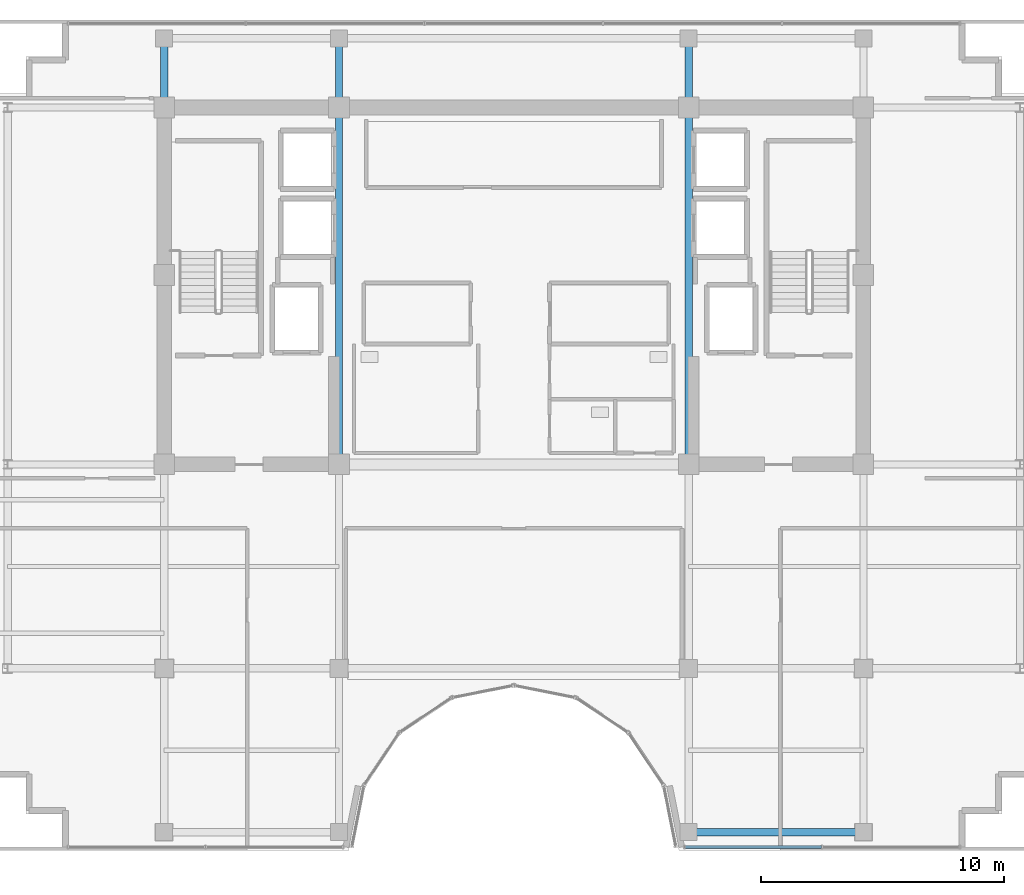
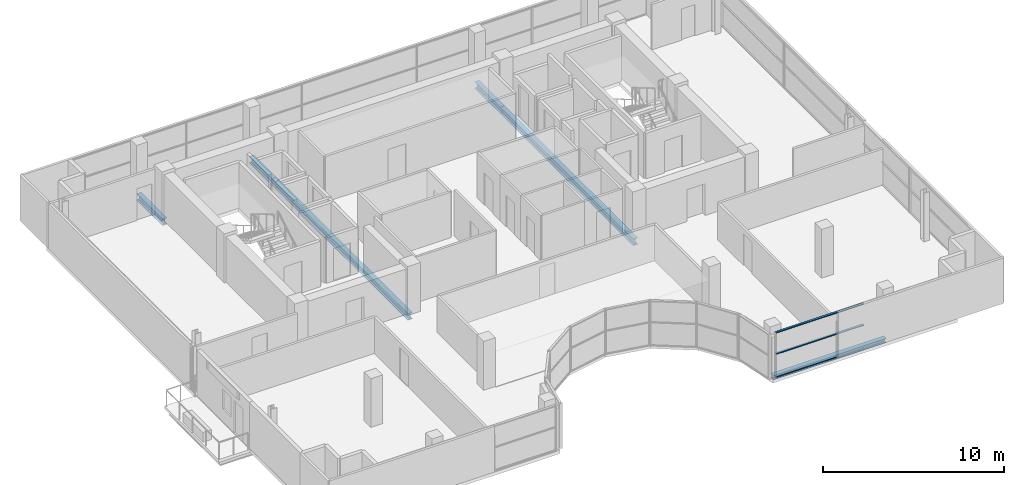
# One storey, part 10 of 28: 6 beams, 3 members, 1 element without a shape of its own.
"""IFC4 building model written with IfcOpenShell, lengths in metres."""

from ifc_helpers import new_model, si_unit, direction, frame, origin, origin_2d, place, context, subcontext, project, spatial, hollow_rectangle, i_section, extrude, source, transform, mapped, material, layer, layer_set, material_profile, profile_set, type_object, element, aggregate, save


model = new_model("IFC4")

# Units and contexts
model_context = context("Model", 3, precision=1e-05, world=origin(), true_north=direction((0.0, 1.0)))
body_context = subcontext(model_context, "Body", "Model", "MODEL_VIEW")
ifc_project = project(units=[si_unit("LENGTHUNIT", "METRE"), si_unit("AREAUNIT", "SQUARE_METRE"), si_unit("VOLUMEUNIT", "CUBIC_METRE"), si_unit("PLANEANGLEUNIT", "RADIAN"), si_unit("MASSUNIT", "GRAM", prefix="KILO")], contexts=[model_context])

# Site, building, storey
site_placement = place(None, origin())
site = spatial("IfcSite", under=ifc_project, at=site_placement, CompositionType="ELEMENT")
building_placement = place(site_placement, origin())
building = spatial("IfcBuilding", under=site, at=building_placement, Name="Zarnakvel Exchange Tower", CompositionType="ELEMENT")
storey_placement = place(building_placement, frame((0.0, 0.0, 268.300048828125)))
storey = spatial("IfcBuildingStorey", under=building, at=storey_placement, Name="L76", CompositionType="ELEMENT", Elevation=268.300048828125)

# Beams
ifc_material_1 = material(Name="Steel S355", Category="steel")
ifc_material_profile_1 = material_profile(ifc_material_1, i_section(OverallWidth=0.300048828125, OverallDepth=0.449951171875, WebThickness=0.013916015625, FlangeThickness=0.02587890625, FilletRadius=0.027099609375, at=origin_2d()))
ifc_profile_set_1 = profile_set([ifc_material_profile_1], Name="Steel S355")
beam_type_1 = type_object("IfcBeamType", Name="G-07", PredefinedType="BEAM", material=ifc_profile_set_1)
beam_1_placement = place(storey_placement, frame((-14.39990234375, 13.5, -0.449951171875), z_axis=(0.0, 1.0, 0.0), x_axis=(-1.0, 0.0, 0.0)))
element("IfcBeam", 1, at=beam_1_placement, inside=storey, type_object=beam_type_1, Name="L76 Tower N-S Frame Beam", PredefinedType="BEAM", context=body_context, shape_type="SweptSolid", body=[
    extrude(i_section(OverallWidth=0.300048828125, OverallDepth=0.449951171875, WebThickness=0.013916015625, FlangeThickness=0.02587890625, FilletRadius=0.027099609375, at=origin_2d()), origin(), (0.0, 0.0, 1.0), 2.85009765625),
])
beam_2_placement = place(storey_placement, frame((-7.199951171875, -1.199951171875, -0.449951171875), z_axis=(0.0, 1.0, 0.0), x_axis=(-1.0, 0.0, 0.0)))
element("IfcBeam", 2, at=beam_2_placement, inside=storey, type_object=beam_type_1, Name="L76 Tower N-S Frame Beam", PredefinedType="BEAM", context=body_context, shape_type="SweptSolid", body=[
    extrude(i_section(OverallWidth=0.300048828125, OverallDepth=0.449951171875, WebThickness=0.013916015625, FlangeThickness=0.02587890625, FilletRadius=0.027099609375, at=origin_2d()), origin(), (0.0, 0.0, 1.0), 14.699951171875),
])
beam_3_placement = place(storey_placement, frame((-7.199951171875, 13.5, -0.449951171875), z_axis=(0.0, 1.0, 0.0), x_axis=(-1.0, 0.0, 0.0)))
element("IfcBeam", 3, at=beam_3_placement, inside=storey, type_object=beam_type_1, Name="L76 Tower N-S Frame Beam", PredefinedType="BEAM", context=body_context, shape_type="SweptSolid", body=[
    extrude(i_section(OverallWidth=0.300048828125, OverallDepth=0.449951171875, WebThickness=0.013916015625, FlangeThickness=0.02587890625, FilletRadius=0.027099609375, at=origin_2d()), origin(), (0.0, 0.0, 1.0), 2.85009765625),
])
beam_4_placement = place(storey_placement, frame((7.199951171875, -1.199951171875, -0.449951171875), z_axis=(0.0, 1.0, 0.0), x_axis=(-1.0, 0.0, 0.0)))
element("IfcBeam", 4, at=beam_4_placement, inside=storey, type_object=beam_type_1, Name="L76 Tower N-S Frame Beam", PredefinedType="BEAM", context=body_context, shape_type="SweptSolid", body=[
    extrude(i_section(OverallWidth=0.300048828125, OverallDepth=0.449951171875, WebThickness=0.013916015625, FlangeThickness=0.02587890625, FilletRadius=0.027099609375, at=origin_2d()), origin(), (0.0, 0.0, 1.0), 14.699951171875),
])
beam_5_placement = place(storey_placement, frame((7.199951171875, 13.5, -0.449951171875), z_axis=(0.0, 1.0, 0.0), x_axis=(-1.0, 0.0, 0.0)))
element("IfcBeam", 5, at=beam_5_placement, inside=storey, type_object=beam_type_1, Name="L76 Tower N-S Frame Beam", PredefinedType="BEAM", context=body_context, shape_type="SweptSolid", body=[
    extrude(i_section(OverallWidth=0.300048828125, OverallDepth=0.449951171875, WebThickness=0.013916015625, FlangeThickness=0.02587890625, FilletRadius=0.027099609375, at=origin_2d()), origin(), (0.0, 0.0, 1.0), 2.85009765625),
])
ifc_material_profile_2 = material_profile(ifc_material_1, i_section(OverallWidth=0.300048828125, OverallDepth=0.300048828125, WebThickness=0.010986328125, FlangeThickness=0.01904296875, FilletRadius=0.027099609375, at=origin_2d()))
ifc_profile_set_2 = profile_set([ifc_material_profile_2], Name="Steel S355")
beam_type_2 = type_object("IfcBeamType", Name="SP-03", PredefinedType="SPANDREL", material=ifc_profile_set_2)
beam_6_placement = place(storey_placement, frame((7.199951171875, -16.35009765625, -0.375), z_axis=(1.0, 0.0, 0.0), x_axis=(0.0, 1.0, 0.0)))
element("IfcBeam", 6, at=beam_6_placement, inside=storey, type_object=beam_type_2, Name="L76 Tower E-W Frame Beam", PredefinedType="SPANDREL", context=body_context, shape_type="SweptSolid", body=[
    extrude(i_section(OverallWidth=0.300048828125, OverallDepth=0.300048828125, WebThickness=0.010986328125, FlangeThickness=0.01904296875, FilletRadius=0.027099609375, at=origin_2d()), origin(), (0.0, 0.0, 1.0), 7.199951171875),
])

# Curtain wall, members
ifc_material_2 = material(Name="Architectural Bronze Anodised Aluminium", Category="aluminium")
ifc_layer = layer(ifc_material_2, 0.159912109375)
ifc_layer_set = layer_set([ifc_layer], Name="Architectural Bronze Anodised Aluminium")
curtain_wall_type = type_object("IfcCurtainWallType", Name="CW-06", PredefinedType="NOTDEFINED", material=ifc_layer_set)
curtain_wall_placement = place(storey_placement, origin())
curtain_wall = element("IfcCurtainWall", 7, at=curtain_wall_placement, inside=storey, type_object=curtain_wall_type, Name="L76 Curtain Wall CW-L76-NSE (CW-06)", PredefinedType="NOTDEFINED")
ifc_material_profile_3 = material_profile(ifc_material_2, hollow_rectangle(XDim=0.1298828125, YDim=0.06494140625, WallThickness=0.00390625, at=origin_2d()))
ifc_profile_set_3 = profile_set([ifc_material_profile_3], Name="Architectural Bronze Anodised Aluminium")
member_type = type_object("IfcMemberType", Name="CWT-06", PredefinedType="USERDEFINED", material=ifc_profile_set_3)
shared_shape = source(origin(), body_context, "Body", "SweptSolid", [
    extrude(hollow_rectangle(XDim=0.1298828125, YDim=0.06494140625, WallThickness=0.00390625, at=origin_2d()), origin(), (0.0, 0.0, 1.0), 5.6025390625),
])
member_1_placement = place(storey_placement, frame((7.06494140625, -16.9599609375, 0.032470703125), z_axis=(1.0, 0.0, 0.0), x_axis=(0.0, 1.0, 0.0)))
member_1 = element("IfcMember", 8, at=member_1_placement, type_object=member_type, Name="CW-06 transom 1.1", ObjectType="TRANSOM", PredefinedType="USERDEFINED", context=body_context, shape_type="MappedRepresentation", body=[
    mapped(shared_shape, transform((0.0, 0.0, 0.0), x_axis=(1.0, 0.0, 0.0), y_axis=(0.0, 1.0, 0.0), z_axis=(0.0, 0.0, 1.0), scale=1.0)),
])
member_2_placement = place(storey_placement, frame((7.06494140625, -16.9599609375, 1.591064453125), z_axis=(1.0, 0.0, 0.0), x_axis=(0.0, 1.0, 0.0)))
member_2 = element("IfcMember", 9, at=member_2_placement, type_object=member_type, Name="CW-06 transom 1.2", ObjectType="TRANSOM", PredefinedType="USERDEFINED", context=body_context, shape_type="MappedRepresentation", body=[
    mapped(shared_shape, transform((0.0, 0.0, 0.0), x_axis=(1.0, 0.0, 0.0), y_axis=(0.0, 1.0, 0.0), z_axis=(0.0, 0.0, 1.0), scale=1.0)),
])
member_3_placement = place(storey_placement, frame((7.06494140625, -16.9599609375, 3.02734375), z_axis=(1.0, 0.0, 0.0), x_axis=(0.0, 1.0, 0.0)))
member_3 = element("IfcMember", 10, at=member_3_placement, type_object=member_type, Name="CW-06 transom 1.3", ObjectType="TRANSOM", PredefinedType="USERDEFINED", context=body_context, shape_type="MappedRepresentation", body=[
    mapped(shared_shape, transform((0.0, 0.0, 0.0), x_axis=(1.0, 0.0, 0.0), y_axis=(0.0, 1.0, 0.0), z_axis=(0.0, 0.0, 1.0), scale=1.0)),
])
aggregate(curtain_wall, [member_1, member_2, member_3])

save(model, "model.ifc")
